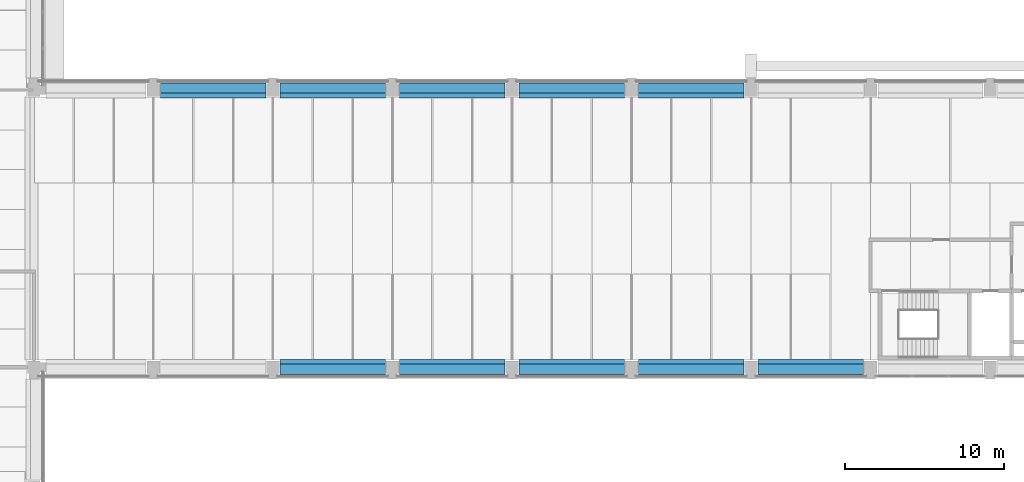
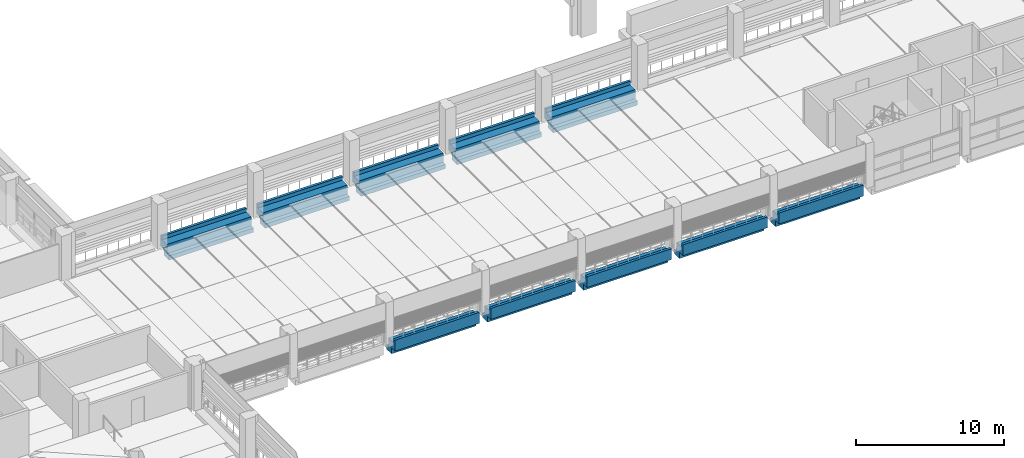
# One storey, part 6 of 61: 10 beams.
"""IFC4 building model written with IfcOpenShell, lengths in metres."""

import ifcopenshell
import ifcopenshell.guid

model = None  # the IFC model being written
_history = None  # IfcOwnerHistory: only IFC2X3 demands one
_inside = {}  # id of a spatial element -> (the spatial element, [elements in it])
_under = {}  # id of a project, library or spatial element -> (it, [spatial elements below it])
_declared = {}  # id of a project -> (the project, [libraries it declares])
_typed = {}  # id of a type object -> (the type object, [elements of that type])
_made_of = {}  # id of a material, layer set ... -> (it, [elements and type objects made of it])


def new_model(schema):
    """Start an empty IFC model of exactly this schema.

    Asked for "IFC4X3", IfcOpenShell would pick the latest addendum, in which some entities
    have other attributes; the version numbers below select the first issue.
    IFC2X3 requires an IfcOwnerHistory on every rooted entity: one is made here for all.
    """
    global model, _history
    if schema == "IFC4X3":
        model = ifcopenshell.file(schema_version=(4, 3, 0, 0))
    else:
        model = ifcopenshell.file(schema=schema)
    _inside.clear()
    _under.clear()
    _declared.clear()
    _typed.clear()
    _made_of.clear()
    _history = None
    if model.schema == "IFC2X3":
        org = make("IfcOrganization", Name="unknown")
        user = make(
            "IfcPersonAndOrganization",
            ThePerson=make("IfcPerson", FamilyName="unknown"),
            TheOrganization=org,
        )
        app = make(
            "IfcApplication",
            ApplicationDeveloper=org,
            Version="unknown",
            ApplicationFullName="unknown",
            ApplicationIdentifier="unknown",
        )
        _history = make(
            "IfcOwnerHistory",
            OwningUser=user,
            OwningApplication=app,
            ChangeAction="ADDED",
            CreationDate=0,
        )
    return model


def make(cls, **values):
    """One entity of the class cls with the attributes given. An attribute that is None is left unset."""
    return model.create_entity(
        cls, **{name: value for name, value in values.items() if value is not None}
    )


def rooted(cls, **values):
    """An entity with a GlobalId (a new one), such as an element, a storey or a relation."""
    return make(cls, GlobalId=ifcopenshell.guid.new(), OwnerHistory=_history, **values)


def si_unit(unit_type, name, prefix=None):
    """IfcSIUnit, for example si_unit("LENGTHUNIT", "METRE", prefix="MILLI")."""
    return make("IfcSIUnit", UnitType=unit_type, Prefix=prefix, Name=name)


def assignment(units):
    """IfcUnitAssignment: the units of a project."""
    return None if units is None else make("IfcUnitAssignment", Units=units)


def point(xyz):
    """IfcCartesianPoint."""
    return None if xyz is None else make("IfcCartesianPoint", Coordinates=xyz)


def direction(xyz):
    """IfcDirection."""
    return None if xyz is None else make("IfcDirection", DirectionRatios=xyz)


def frame(location, z_axis=None, x_axis=None):
    """IfcAxis2Placement3D, a coordinate frame: its origin and axes. An axis left out is left unset."""
    return make(
        "IfcAxis2Placement3D",
        Location=point(location),
        Axis=direction(z_axis),
        RefDirection=direction(x_axis),
    )


def origin():
    """The frame at (0, 0, 0) with its axes left unset."""
    return frame((0.0, 0.0, 0.0))


def place(relative_to, where):
    """IfcLocalPlacement: puts the frame where relative to a parent placement (None: the world)."""
    return make(
        "IfcLocalPlacement", PlacementRelTo=relative_to, RelativePlacement=where
    )


def context(
    kind, dimensions, precision=None, world=None, true_north=None, identifier=None
):
    """IfcGeometricRepresentationContext, for example the 3D "Model" context."""
    return make(
        "IfcGeometricRepresentationContext",
        ContextIdentifier=identifier,
        ContextType=kind,
        CoordinateSpaceDimension=dimensions,
        Precision=precision,
        WorldCoordinateSystem=world,
        TrueNorth=true_north,
    )


def subcontext(parent, identifier, kind, view, scale=None):
    """IfcGeometricRepresentationSubContext, for example "Body" below "Model"."""
    return make(
        "IfcGeometricRepresentationSubContext",
        ContextIdentifier=identifier,
        ContextType=kind,
        ParentContext=parent,
        TargetScale=scale,
        TargetView=view,
    )


def project(units=None, contexts=None):
    """IfcProject with its units and contexts."""
    return rooted(
        "IfcProject",
        Name="project",
        RepresentationContexts=contexts,
        UnitsInContext=assignment(units),
    )


def spatial(cls, under=None, at=None, **own):
    """A site, building, storey or space (cls), placed at a placement, below another one or the project."""
    s = rooted(cls, ObjectPlacement=at, **own)
    if under is not None:
        _under.setdefault(under.id(), (under, []))[1].append(s)
    return s


def polyline(points):
    """IfcPolyline through the points."""
    return make("IfcPolyline", Points=[point(p) for p in points])


def outline(outer, holes=None, kind="AREA"):
    """IfcArbitraryClosedProfileDef: a profile drawn as a closed curve; with holes, ...WithVoids."""
    if holes is None:
        return make("IfcArbitraryClosedProfileDef", ProfileType=kind, OuterCurve=outer)
    return make(
        "IfcArbitraryProfileDefWithVoids",
        ProfileType=kind,
        OuterCurve=outer,
        InnerCurves=holes,
    )


def extrude(swept, where, along, depth):
    """IfcExtrudedAreaSolid: the profile swept, set in the frame where, extruded along a direction by depth."""
    return make(
        "IfcExtrudedAreaSolid",
        SweptArea=swept,
        Position=where,
        ExtrudedDirection=direction(along),
        Depth=depth,
    )


def shape(context_of_items, identifier, shape_type, items):
    """IfcShapeRepresentation: the items that make up one representation, for example the "Body"."""
    return make(
        "IfcShapeRepresentation",
        ContextOfItems=context_of_items,
        RepresentationIdentifier=identifier,
        RepresentationType=shape_type,
        Items=items,
    )


def material(Name=None, Category=None):
    """IfcMaterial."""
    return make("IfcMaterial", Name=Name, Category=Category)


def material_profile(
    of_material, cross_section, Name=None, Category=None, Priority=None
):
    """IfcMaterialProfile: a cross section and its material."""
    return make(
        "IfcMaterialProfile",
        Name=Name,
        Material=of_material,
        Profile=cross_section,
        Priority=Priority,
        Category=Category,
    )


def profile_set(profiles, Name=None, composite=None):
    """IfcMaterialProfileSet."""
    return make(
        "IfcMaterialProfileSet",
        Name=Name,
        MaterialProfiles=profiles,
        CompositeProfile=composite,
    )


def made_of(thing, what):
    """Note that an element or type object is made of a material, layer set ...; save() writes the relation."""
    if what is not None:
        _made_of.setdefault(what.id(), (what, []))[1].append(thing)
    return thing


def type_object(cls, material=None, **own):
    """A type object (cls), such as IfcWallType, which elements share."""
    return made_of(rooted(cls, **own), material)


def element(
    cls,
    number,
    at=None,
    inside=None,
    cuts=None,
    type_object=None,
    material=None,
    context=None,
    identifier="Body",
    shape_type=None,
    held_by="IfcProductDefinitionShape",
    body=None,
    shapes=None,
    **own,
):
    """One element of the class cls, such as IfcWall. Its Tag is "e" and its number.

    at: its placement. inside: the storey or other place that contains it. cuts: it is an
    opening in that element (IfcRelVoidsElement). A single representation is given by context,
    identifier, shape_type and body (its items); several are given by shapes. held_by: the class
    of the entity that holds the representations. save() writes the other relations.
    """
    e = rooted(cls, Tag="e%d" % number, ObjectPlacement=at, **own)
    if body is not None:
        shapes = [shape(context, identifier, shape_type, body)]
    if shapes is not None:
        e.Representation = make(held_by, Representations=shapes)
    if inside is not None:
        _inside.setdefault(inside.id(), (inside, []))[1].append(e)
    if cuts is not None:
        rooted(
            "IfcRelVoidsElement", RelatingBuildingElement=cuts, RelatedOpeningElement=e
        )
    if type_object is not None:
        _typed.setdefault(type_object.id(), (type_object, []))[1].append(e)
    return made_of(e, material)


def aggregate(whole, parts):
    """IfcRelAggregates: a whole, such as a stair, and the parts it consists of."""
    return rooted("IfcRelAggregates", RelatingObject=whole, RelatedObjects=parts)


def save(model, path):
    """Write the relations noted so far, then the file.

    IfcRelAggregates (storeys below a building ...), IfcRelContainedInSpatialStructure (elements
    in a storey), IfcRelDefinesByType, IfcRelAssociatesMaterial and IfcRelDeclares: one each for
    every whole, place, type object, material and project.
    """
    for whole, parts in _under.values():
        aggregate(whole, parts)
    for where, things in _inside.values():
        rooted(
            "IfcRelContainedInSpatialStructure",
            RelatedElements=things,
            RelatingStructure=where,
        )
    for kind, things in _typed.values():
        rooted("IfcRelDefinesByType", RelatedObjects=things, RelatingType=kind)
    for what, things in _made_of.values():
        rooted("IfcRelAssociatesMaterial", RelatedObjects=things, RelatingMaterial=what)
    for by, libraries in _declared.values():
        rooted("IfcRelDeclares", RelatingContext=by, RelatedDefinitions=libraries)
    model.write(path)


model = new_model("IFC4")

# Units and contexts
model_context = context("Model", 3, precision=1e-05, world=origin(), true_north=direction((0.0, 1.0)))
body_context = subcontext(model_context, "Body", "Model", "MODEL_VIEW")
ifc_project = project(units=[si_unit("LENGTHUNIT", "METRE"), si_unit("AREAUNIT", "SQUARE_METRE"), si_unit("VOLUMEUNIT", "CUBIC_METRE"), si_unit("PLANEANGLEUNIT", "RADIAN"), si_unit("MASSUNIT", "GRAM", prefix="KILO")], contexts=[model_context])

# Site, building, storey
site_placement = place(None, origin())
site = spatial("IfcSite", under=ifc_project, at=site_placement, CompositionType="ELEMENT")
building_placement = place(site_placement, origin())
building = spatial("IfcBuilding", under=site, at=building_placement, Name="Cour d'Honneur Mobility Palace", CompositionType="ELEMENT")
storey_placement = place(building_placement, frame((0.0, 0.0, 11.89990234375)))
storey = spatial("IfcBuildingStorey", under=building, at=storey_placement, Name="L03", CompositionType="ELEMENT", Elevation=11.89990234375)

# Beams
ifc_material_1 = material(Name="Concrete C45", Category="concrete")
ifc_material_profile_1 = material_profile(ifc_material_1, outline(polyline([(0.5, -1.10009765625), (0.5, -0.75), (0.199951171875, -0.75), (0.199951171875, 0.0), (-0.199951171875, 0.0), (-0.449951171875, 0.0), (-0.449951171875, 0.300048828125), (-0.64990234375, 0.300048828125), (-0.64990234375, -0.60009765625), (-0.199951171875, -0.60009765625), (-0.199951171875, -1.10009765625), (0.5, -1.10009765625)])), Name="Ledger Beam 400x1100 ledge left 350 facade right")
ifc_profile_set_1 = profile_set([ifc_material_profile_1], Name="Concrete C45")
beam_type_1 = type_object("IfcBeamType", Name="Ledger Beam 400x1100 ledge left 350 facade right", PredefinedType="BEAM", material=ifc_profile_set_1)
for number, where, z_axis, x_axis, name in (
    (1, (32.85009765625, 45.0, 0.0), (1.0, 0.0, 0.0), (0.0, 1.0, 0.0), "Precast beam B2 4-5 L03"),
    (2, (40.35009765625, 45.0, 0.0), (1.0, 0.0, 0.0), (0.0, 1.0, 0.0), "Precast beam B2 5-6 L03"),
    (3, (47.85009765625, 45.0, 0.0), (1.0, 0.0, 0.0), (0.0, 1.0, 0.0), "Precast beam B2 6-7 L03"),
    (4, (55.35009765625, 45.0, 0.0), (1.0, 0.0, 0.0), (0.0, 1.0, 0.0), "Precast beam B2 7-8 L03"),
    (5, (62.85009765625, 45.0, 0.0), (1.0, 0.0, 0.0), (0.0, 1.0, 0.0), "Precast beam B2 8-9 L03"),
):
    element("IfcBeam", number, at=place(storey_placement, frame(where, z_axis=z_axis, x_axis=x_axis)), inside=storey, type_object=beam_type_1, Name=name, PredefinedType="BEAM", context=body_context, shape_type="SweptSolid", body=[
        extrude(outline(polyline([(0.5, -1.10009765625), (0.5, -0.75), (0.199951171875, -0.75), (0.199951171875, 0.0), (-0.199951171875, 0.0), (-0.449951171875, 0.0), (-0.449951171875, 0.300048828125), (-0.64990234375, 0.300048828125), (-0.64990234375, -0.60009765625), (-0.199951171875, -0.60009765625), (-0.199951171875, -1.10009765625), (0.5, -1.10009765625)])), origin(), (0.0, 0.0, 1.0), 6.599853515625),
    ])
ifc_material_2 = material(Name="Concrete C45", Category="concrete")
ifc_material_profile_2 = material_profile(ifc_material_2, outline(polyline([(0.199951171875, -1.10009765625), (0.199951171875, -0.60009765625), (0.64990234375, -0.60009765625), (0.64990234375, 0.300048828125), (0.449951171875, 0.300048828125), (0.449951171875, 0.0), (0.199951171875, 0.0), (-0.199951171875, 0.0), (-0.199951171875, -0.75), (-0.5, -0.75), (-0.5, -1.10009765625), (0.199951171875, -1.10009765625)])), Name="Ledger Beam 400x1100 ledge right 350 facade left")
ifc_profile_set_2 = profile_set([ifc_material_profile_2], Name="Concrete C45")
beam_type_2 = type_object("IfcBeamType", Name="Ledger Beam 400x1100 ledge right 350 facade left", PredefinedType="BEAM", material=ifc_profile_set_2)
for number, where, z_axis, x_axis, name in (
    (6, (25.35009765625, 62.39990234375, 0.0), (1.0, 0.0, 0.0), (0.0, 1.0, 0.0), "Precast beam B4 3-4 L03"),
    (7, (32.85009765625, 62.39990234375, 0.0), (1.0, 0.0, 0.0), (0.0, 1.0, 0.0), "Precast beam B4 4-5 L03"),
    (8, (40.35009765625, 62.39990234375, 0.0), (1.0, 0.0, 0.0), (0.0, 1.0, 0.0), "Precast beam B4 5-6 L03"),
    (9, (47.85009765625, 62.39990234375, 0.0), (1.0, 0.0, 0.0), (0.0, 1.0, 0.0), "Precast beam B4 6-7 L03"),
    (10, (55.35009765625, 62.39990234375, 0.0), (1.0, 0.0, 0.0), (0.0, 1.0, 0.0), "Precast beam B4 7-8 L03"),
):
    element("IfcBeam", number, at=place(storey_placement, frame(where, z_axis=z_axis, x_axis=x_axis)), inside=storey, type_object=beam_type_2, Name=name, PredefinedType="BEAM", context=body_context, shape_type="SweptSolid", body=[
        extrude(outline(polyline([(0.199951171875, -1.10009765625), (0.199951171875, -0.60009765625), (0.64990234375, -0.60009765625), (0.64990234375, 0.300048828125), (0.449951171875, 0.300048828125), (0.449951171875, 0.0), (0.199951171875, 0.0), (-0.199951171875, 0.0), (-0.199951171875, -0.75), (-0.5, -0.75), (-0.5, -1.10009765625), (0.199951171875, -1.10009765625)])), origin(), (0.0, 0.0, 1.0), 6.599853515625),
    ])

save(model, "model.ifc")
